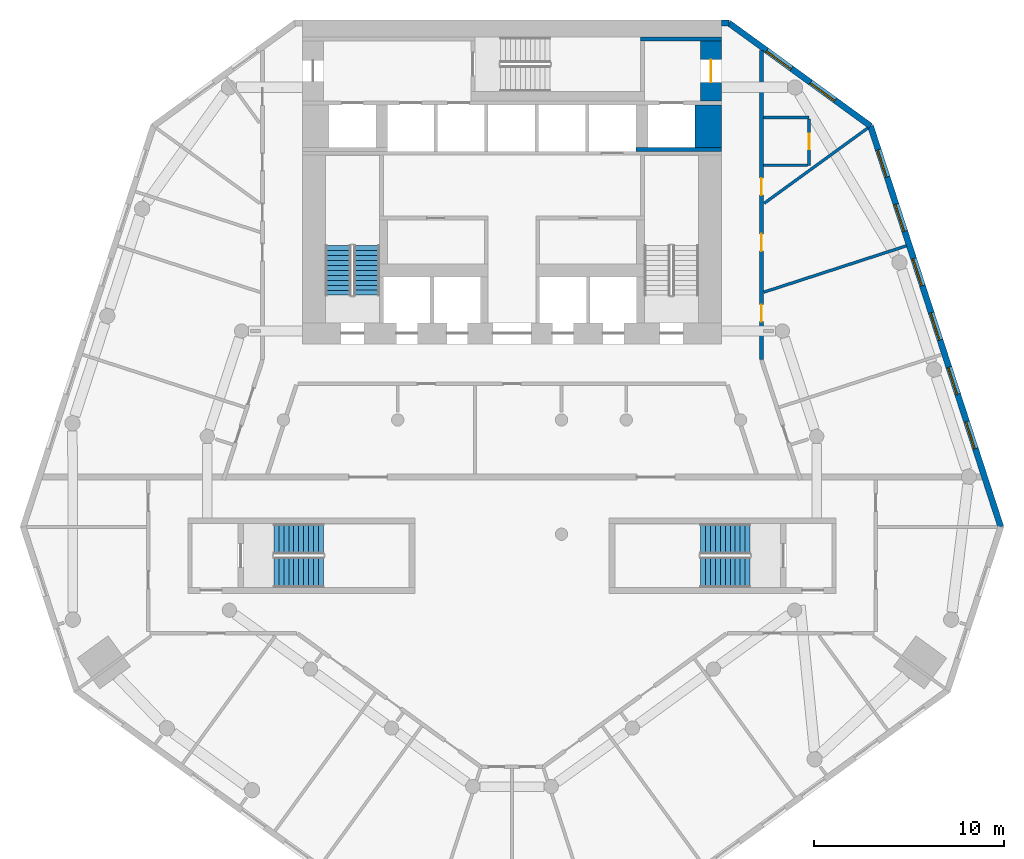
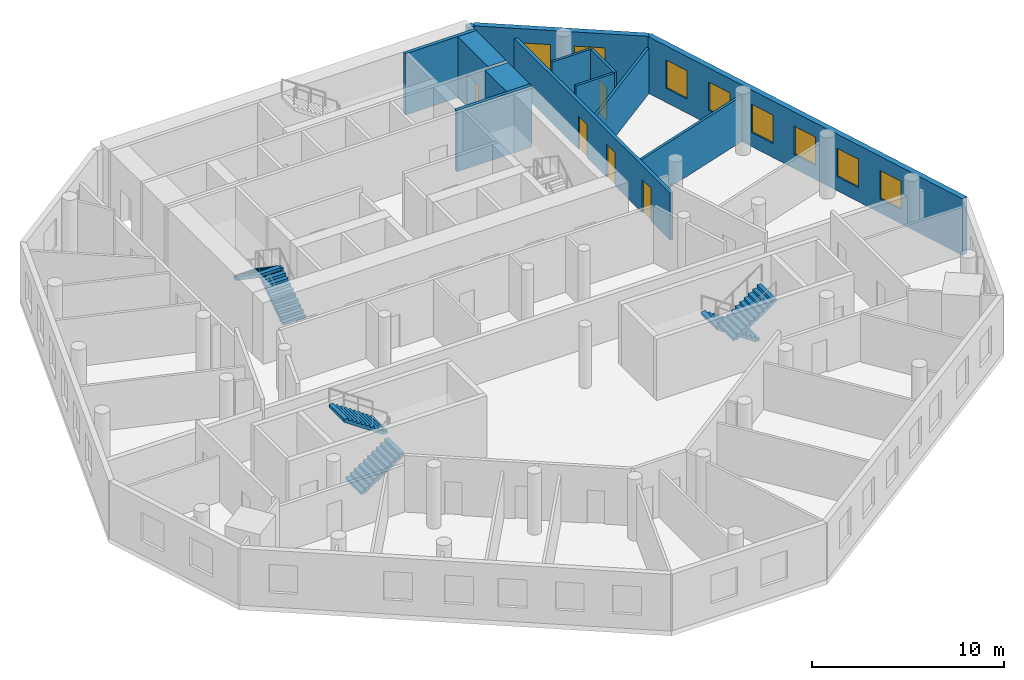
# One storey, part 6 of 9: 13 walls, 8 windows, 6 stair flights, 5 doors, 13 openings, 3 elements without a shape of their own.
"""IFC4 building model written with IfcOpenShell, lengths in metres."""

from ifc_helpers import new_model, si_unit, direction, frame, frame_2d, origin, place, context, subcontext, project, spatial, polyline, rectangle, outline, extrude, material, layer, layer_set, type_object, element, fill, aggregate, save


model = new_model("IFC4")

# Units and contexts
model_context = context("Model", 3, precision=1e-05, world=origin(), true_north=direction((0.0, 1.0)))
body_context = subcontext(model_context, "Body", "Model", "MODEL_VIEW")
ifc_project = project(units=[si_unit("LENGTHUNIT", "METRE"), si_unit("AREAUNIT", "SQUARE_METRE"), si_unit("VOLUMEUNIT", "CUBIC_METRE"), si_unit("PLANEANGLEUNIT", "RADIAN"), si_unit("MASSUNIT", "GRAM", prefix="KILO")], contexts=[model_context])

# Site, building, storey
site_placement = place(None, origin())
site = spatial("IfcSite", under=ifc_project, at=site_placement, CompositionType="ELEMENT")
building_placement = place(site_placement, origin())
building = spatial("IfcBuilding", under=site, at=building_placement, Name="White Candle Pilgrim Tower", CompositionType="ELEMENT")
storey_placement = place(building_placement, frame((0.0, 0.0, 110.300048828125)))
storey = spatial("IfcBuildingStorey", under=building, at=storey_placement, Name="L24", CompositionType="ELEMENT", Elevation=110.300048828125)

# Wall, opening, door
ifc_material_1 = material(Name="Concrete C60/75", Category="concrete")
ifc_layer_1 = layer(ifc_material_1, 1.10009765625)
ifc_layer_set_1 = layer_set([ifc_layer_1], Name="Core wall 1100 mm Concrete C60/75")
wall_type_1 = type_object("IfcWallType", Name="Core wall 1100 mm Concrete C60/75", PredefinedType="SHEAR", material=ifc_layer_set_1)
wall_1_placement = place(storey_placement, frame((80.449951171875, 83.75, 0.0), z_axis=(0.0, 0.0, 1.0), x_axis=(0.0, 1.0, 0.0)))
wall_1 = element("IfcWall", 1, at=wall_1_placement, inside=storey, type_object=wall_type_1, Name="WL-L24-C44", PredefinedType="SHEAR", context=body_context, shape_type="SweptSolid", body=[
    extrude(rectangle(XDim=3.14990234375, YDim=1.10009765625, at=frame_2d((1.574951171875, 0.0))), origin(), (0.0, 0.0, 1.0), 3.89990234375),
])
opening_1_placement = place(wall_1_placement, frame((0.97509765625, 0.0, 0.0)))
opening_1 = element("IfcOpeningElement", 2, at=opening_1_placement, cuts=wall_1, Name="Opening T07-006", PredefinedType="OPENING", context=body_context, shape_type="SweptSolid", body=[
    extrude(rectangle(XDim=1.199951171875, YDim=2.10009765625, at=frame_2d((0.60009765625, 1.050048828125))), frame((0.0, 0.56005859375, 0.0), z_axis=(0.0, -1.0, 0.0), x_axis=(1.0, 0.0, 0.0)), (0.0, 0.0, 1.0), 1.1201171875),
])
ifc_material_2 = material(Name="Steel door leaf", Category="steel")
door_type_1 = type_object("IfcDoorType", Name="Fire door 1200 x 2100 EI 30", OperationType="NOTDEFINED", PredefinedType="DOOR", material=ifc_material_2)
door_1_placement = place(opening_1_placement, origin())
door_1 = element("IfcDoor", 3, at=door_1_placement, inside=storey, type_object=door_type_1, Name="Door T07-006", OperationType="SINGLE_SWING_RIGHT", OverallHeight=2.10009765625, OverallWidth=1.199951171875, PredefinedType="DOOR", context=body_context, shape_type="SweptSolid", body=[
    extrude(rectangle(XDim=1.199951171875, YDim=2.10009765625, at=frame_2d((0.60009765625, 1.050048828125))), frame((0.0, 0.02490234375, 0.0), z_axis=(0.0, -1.0, 0.0), x_axis=(1.0, 0.0, 0.0)), (0.0, 0.0, 1.0), 0.050048828125),
])
fill(opening_1, door_1)

# Walls
ifc_layer_2 = layer(ifc_material_1, 1.39990234375)
ifc_layer_set_2 = layer_set([ifc_layer_2], Name="Core wall 1400 mm Concrete C60/75")
wall_type_2 = type_object("IfcWallType", Name="Core wall 1400 mm Concrete C60/75", PredefinedType="SHEAR", material=ifc_layer_set_2)
wall_2_placement = place(storey_placement, frame((80.300048828125, 81.300048828125, 0.0), z_axis=(0.0, 0.0, 1.0), x_axis=(0.0, 1.0, 0.0)))
element("IfcWall", 4, at=wall_2_placement, inside=storey, type_object=wall_type_2, Name="WL-L24-C40", PredefinedType="SHEAR", context=body_context, shape_type="SweptSolid", body=[
    extrude(rectangle(XDim=2.25, YDim=1.39990234375, at=frame_2d((1.125, 0.0))), origin(), (0.0, 0.0, 1.0), 3.89990234375),
])
ifc_layer_3 = layer(ifc_material_1, 0.199951171875)
ifc_layer_set_3 = layer_set([ifc_layer_3], Name="Core wall 200 mm Concrete C60/75")
wall_type_3 = type_object("IfcWallType", Name="Core wall 200 mm Concrete C60/75", PredefinedType="SHEAR", material=ifc_layer_set_3)
wall_3_placement = place(storey_placement, frame((76.5, 81.199951171875, 0.0), z_axis=(0.0, 0.0, 1.0), x_axis=(1.0, 0.0, 0.0)))
element("IfcWall", 5, at=wall_3_placement, inside=storey, type_object=wall_type_3, Name="WL-L24-C36", PredefinedType="SHEAR", context=body_context, shape_type="SweptSolid", body=[
    extrude(rectangle(XDim=4.5, YDim=0.199951171875, at=frame_2d((2.25, 0.0))), origin(), (0.0, 0.0, 1.0), 3.89990234375),
])

# Wall, openings, doors
ifc_material_3 = material(Name="Gypsum board on steel studs", Category="steel")
ifc_layer_4 = layer(ifc_material_3, 0.199951171875)
ifc_layer_set_4 = layer_set([ifc_layer_4], Name="Corridor wall 200 mm EI 45")
wall_type_4 = type_object("IfcWallType", Name="Corridor wall 200 mm EI 45", PredefinedType="PARTITIONING", material=ifc_layer_set_4)
wall_4_placement = place(storey_placement, frame((83.10009765625, 86.396240234375, 0.0), z_axis=(0.0, 0.0, 1.0), x_axis=(0.0, -1.0, 0.0)))
wall_4 = element("IfcWall", 6, at=wall_4_placement, inside=storey, type_object=wall_type_4, Name="WL-L24-P004", PredefinedType="PARTITIONING", context=body_context, shape_type="SweptSolid", body=[
    extrude(rectangle(XDim=16.221923828125, YDim=0.199951171875, at=frame_2d((8.11083984375, 0.0))), origin(), (0.0, 0.0, 1.0), 3.0),
])
opening_2_placement = place(wall_4_placement, frame((6.697998046875, 0.0, 0.0)))
opening_2 = element("IfcOpeningElement", 7, at=opening_2_placement, cuts=wall_4, Name="Opening T07-123", PredefinedType="OPENING", context=body_context, shape_type="SweptSolid", body=[
    extrude(rectangle(XDim=0.89990234375, YDim=2.10009765625, at=frame_2d((0.449951171875, 1.050048828125))), frame((0.0, 0.10986328125, 0.0), z_axis=(0.0, -1.0, 0.0), x_axis=(1.0, 0.0, 0.0)), (0.0, 0.0, 1.0), 0.219970703125),
])
opening_3_placement = place(wall_4_placement, frame((9.626953125, 0.0, 0.0)))
opening_3 = element("IfcOpeningElement", 8, at=opening_3_placement, cuts=wall_4, Name="Opening T07-124", PredefinedType="OPENING", context=body_context, shape_type="SweptSolid", body=[
    extrude(rectangle(XDim=0.89990234375, YDim=2.10009765625, at=frame_2d((0.449951171875, 1.050048828125))), frame((0.0, 0.10986328125, 0.0), z_axis=(0.0, -1.0, 0.0), x_axis=(1.0, 0.0, 0.0)), (0.0, 0.0, 1.0), 0.219970703125),
])
opening_4_placement = place(wall_4_placement, frame((13.338623046875, 0.0, 0.0)))
opening_4 = element("IfcOpeningElement", 9, at=opening_4_placement, cuts=wall_4, Name="Opening T07-125", PredefinedType="OPENING", context=body_context, shape_type="SweptSolid", body=[
    extrude(rectangle(XDim=0.89990234375, YDim=2.10009765625, at=frame_2d((0.449951171875, 1.050048828125))), frame((0.0, 0.10986328125, 0.0), z_axis=(0.0, -1.0, 0.0), x_axis=(1.0, 0.0, 0.0)), (0.0, 0.0, 1.0), 0.219970703125),
])
door_type_2 = type_object("IfcDoorType", Name="Fire door 900 x 2100 EI 30", OperationType="NOTDEFINED", PredefinedType="DOOR", material=ifc_material_2)
door_2_placement = place(opening_2_placement, origin())
door_2 = element("IfcDoor", 10, at=door_2_placement, inside=storey, type_object=door_type_2, Name="Door T07-123", OperationType="SINGLE_SWING_LEFT", OverallHeight=2.10009765625, OverallWidth=0.89990234375, PredefinedType="DOOR", context=body_context, shape_type="SweptSolid", body=[
    extrude(rectangle(XDim=0.89990234375, YDim=2.10009765625, at=frame_2d((0.449951171875, 1.050048828125))), frame((0.0, 0.02490234375, 0.0), z_axis=(0.0, -1.0, 0.0), x_axis=(1.0, 0.0, 0.0)), (0.0, 0.0, 1.0), 0.050048828125),
])
fill(opening_2, door_2)
door_3_placement = place(opening_3_placement, origin())
door_3 = element("IfcDoor", 11, at=door_3_placement, inside=storey, type_object=door_type_2, Name="Door T07-124", OperationType="SINGLE_SWING_RIGHT", OverallHeight=2.10009765625, OverallWidth=0.89990234375, PredefinedType="DOOR", context=body_context, shape_type="SweptSolid", body=[
    extrude(rectangle(XDim=0.89990234375, YDim=2.10009765625, at=frame_2d((0.449951171875, 1.050048828125))), frame((0.0, 0.02490234375, 0.0), z_axis=(0.0, -1.0, 0.0), x_axis=(1.0, 0.0, 0.0)), (0.0, 0.0, 1.0), 0.050048828125),
])
fill(opening_3, door_3)
door_4_placement = place(opening_4_placement, origin())
door_4 = element("IfcDoor", 12, at=door_4_placement, inside=storey, type_object=door_type_2, Name="Door T07-125", OperationType="SINGLE_SWING_LEFT", OverallHeight=2.10009765625, OverallWidth=0.89990234375, PredefinedType="DOOR", context=body_context, shape_type="SweptSolid", body=[
    extrude(rectangle(XDim=0.89990234375, YDim=2.10009765625, at=frame_2d((0.449951171875, 1.050048828125))), frame((0.0, 0.02490234375, 0.0), z_axis=(0.0, -1.0, 0.0), x_axis=(1.0, 0.0, 0.0)), (0.0, 0.0, 1.0), 0.050048828125),
])
fill(opening_4, door_4)

# Wall, openings, windows
ifc_material_4 = material(Name="Precast concrete C40/50", Category="concrete")
ifc_layer_5 = layer(ifc_material_4, 0.320068359375)
ifc_layer_set_5 = layer_set([ifc_layer_5], Name="Facade wall EW1 precast concrete C40/50 pier wall with timber-lined reveals")
wall_type_5 = type_object("IfcWallType", Name="Facade wall EW1 precast concrete C40/50 pier wall with timber-lined reveals", PredefinedType="SOLIDWALL", material=ifc_layer_set_5)
wall_5_placement = place(storey_placement, frame((95.66552734375, 61.38671875, 0.0), z_axis=(0.0, 0.0, 1.0), x_axis=(-0.30901996398, 0.951055551407, 0.0)))
wall_5 = element("IfcWall", 13, at=wall_5_placement, inside=storey, type_object=wall_type_5, Name="Facade wall L24 ENE", PredefinedType="SOLIDWALL", context=body_context, shape_type="SweptSolid", body=[
    extrude(rectangle(XDim=22.129150390625, YDim=0.320068359375, at=frame_2d((11.064453125, 0.0))), origin(), (0.0, 0.0, 1.0), 3.599853515625),
])
opening_5_placement = place(wall_5_placement, frame((4.314697265625, 0.0, 0.89990234375)))
opening_5 = element("IfcOpeningElement", 14, at=opening_5_placement, cuts=wall_5, Name="Opening W1", PredefinedType="OPENING", context=body_context, shape_type="SweptSolid", body=[
    extrude(rectangle(XDim=1.5, YDim=1.800048828125, at=frame_2d((0.75, 0.89990234375))), frame((0.0, 0.169921875, 0.0), z_axis=(0.0, -1.0, 0.0), x_axis=(1.0, 0.0, 0.0)), (0.0, 0.0, 1.0), 0.340087890625),
])
opening_6_placement = place(wall_5_placement, frame((7.314697265625, 0.0, 0.89990234375)))
opening_6 = element("IfcOpeningElement", 15, at=opening_6_placement, cuts=wall_5, Name="Opening W1", PredefinedType="OPENING", context=body_context, shape_type="SweptSolid", body=[
    extrude(rectangle(XDim=1.5, YDim=1.800048828125, at=frame_2d((0.75, 0.89990234375))), frame((0.0, 0.169921875, 0.0), z_axis=(0.0, -1.0, 0.0), x_axis=(1.0, 0.0, 0.0)), (0.0, 0.0, 1.0), 0.340087890625),
])
opening_7_placement = place(wall_5_placement, frame((10.314697265625, 0.0, 0.89990234375)))
opening_7 = element("IfcOpeningElement", 16, at=opening_7_placement, cuts=wall_5, Name="Opening W1", PredefinedType="OPENING", context=body_context, shape_type="SweptSolid", body=[
    extrude(rectangle(XDim=1.5, YDim=1.800048828125, at=frame_2d((0.75, 0.89990234375))), frame((0.0, 0.169921875, 0.0), z_axis=(0.0, -1.0, 0.0), x_axis=(1.0, 0.0, 0.0)), (0.0, 0.0, 1.0), 0.340087890625),
])
opening_8_placement = place(wall_5_placement, frame((13.314697265625, 0.0, 0.89990234375)))
opening_8 = element("IfcOpeningElement", 17, at=opening_8_placement, cuts=wall_5, Name="Opening W1", PredefinedType="OPENING", context=body_context, shape_type="SweptSolid", body=[
    extrude(rectangle(XDim=1.5, YDim=1.800048828125, at=frame_2d((0.75, 0.89990234375))), frame((0.0, 0.169921875, 0.0), z_axis=(0.0, -1.0, 0.0), x_axis=(1.0, 0.0, 0.0)), (0.0, 0.0, 1.0), 0.340087890625),
])
opening_9_placement = place(wall_5_placement, frame((16.314697265625, 0.0, 0.89990234375)))
opening_9 = element("IfcOpeningElement", 18, at=opening_9_placement, cuts=wall_5, Name="Opening W1", PredefinedType="OPENING", context=body_context, shape_type="SweptSolid", body=[
    extrude(rectangle(XDim=1.5, YDim=1.800048828125, at=frame_2d((0.75, 0.89990234375))), frame((0.0, 0.169921875, 0.0), z_axis=(0.0, -1.0, 0.0), x_axis=(1.0, 0.0, 0.0)), (0.0, 0.0, 1.0), 0.340087890625),
])
opening_10_placement = place(wall_5_placement, frame((19.314697265625, 0.0, 0.89990234375)))
opening_10 = element("IfcOpeningElement", 19, at=opening_10_placement, cuts=wall_5, Name="Opening W1", PredefinedType="OPENING", context=body_context, shape_type="SweptSolid", body=[
    extrude(rectangle(XDim=1.5, YDim=1.800048828125, at=frame_2d((0.75, 0.89990234375))), frame((0.0, 0.169921875, 0.0), z_axis=(0.0, -1.0, 0.0), x_axis=(1.0, 0.0, 0.0)), (0.0, 0.0, 1.0), 0.340087890625),
])
ifc_material_5 = material(Name="Timber frame with triple glazing", Category="wood")
window_type_1 = type_object("IfcWindowType", Name="Window W1 1500x1800 timber frame triple glazing", PartitioningType="SINGLE_PANEL", PredefinedType="WINDOW", material=ifc_material_5)
window_1_placement = place(opening_5_placement, origin())
window_1 = element("IfcWindow", 20, at=window_1_placement, inside=storey, type_object=window_type_1, Name="Window W1 L24 ENE 2", OverallHeight=1.800048828125, OverallWidth=1.5, PartitioningType="SINGLE_PANEL", PredefinedType="WINDOW", context=body_context, shape_type="SweptSolid", body=[
    extrude(rectangle(XDim=1.5, YDim=1.800048828125, at=frame_2d((0.75, 0.89990234375))), frame((0.0, 0.070068359375, 0.0), z_axis=(0.0, -1.0, 0.0), x_axis=(1.0, 0.0, 0.0)), (0.0, 0.0, 1.0), 0.06005859375),
])
fill(opening_5, window_1)
window_2_placement = place(opening_6_placement, origin())
window_2 = element("IfcWindow", 21, at=window_2_placement, inside=storey, type_object=window_type_1, Name="Window W1 L24 ENE 3", OverallHeight=1.800048828125, OverallWidth=1.5, PartitioningType="SINGLE_PANEL", PredefinedType="WINDOW", context=body_context, shape_type="SweptSolid", body=[
    extrude(rectangle(XDim=1.5, YDim=1.800048828125, at=frame_2d((0.75, 0.89990234375))), frame((0.0, 0.070068359375, 0.0), z_axis=(0.0, -1.0, 0.0), x_axis=(1.0, 0.0, 0.0)), (0.0, 0.0, 1.0), 0.06005859375),
])
fill(opening_6, window_2)
window_3_placement = place(opening_7_placement, origin())
window_3 = element("IfcWindow", 22, at=window_3_placement, inside=storey, type_object=window_type_1, Name="Window W1 L24 ENE 4", OverallHeight=1.800048828125, OverallWidth=1.5, PartitioningType="SINGLE_PANEL", PredefinedType="WINDOW", context=body_context, shape_type="SweptSolid", body=[
    extrude(rectangle(XDim=1.5, YDim=1.800048828125, at=frame_2d((0.75, 0.89990234375))), frame((0.0, 0.070068359375, 0.0), z_axis=(0.0, -1.0, 0.0), x_axis=(1.0, 0.0, 0.0)), (0.0, 0.0, 1.0), 0.06005859375),
])
fill(opening_7, window_3)
window_4_placement = place(opening_8_placement, origin())
window_4 = element("IfcWindow", 23, at=window_4_placement, inside=storey, type_object=window_type_1, Name="Window W1 L24 ENE 5", OverallHeight=1.800048828125, OverallWidth=1.5, PartitioningType="SINGLE_PANEL", PredefinedType="WINDOW", context=body_context, shape_type="SweptSolid", body=[
    extrude(rectangle(XDim=1.5, YDim=1.800048828125, at=frame_2d((0.75, 0.89990234375))), frame((0.0, 0.070068359375, 0.0), z_axis=(0.0, -1.0, 0.0), x_axis=(1.0, 0.0, 0.0)), (0.0, 0.0, 1.0), 0.06005859375),
])
fill(opening_8, window_4)
window_5_placement = place(opening_9_placement, origin())
window_5 = element("IfcWindow", 24, at=window_5_placement, inside=storey, type_object=window_type_1, Name="Window W1 L24 ENE 6", OverallHeight=1.800048828125, OverallWidth=1.5, PartitioningType="SINGLE_PANEL", PredefinedType="WINDOW", context=body_context, shape_type="SweptSolid", body=[
    extrude(rectangle(XDim=1.5, YDim=1.800048828125, at=frame_2d((0.75, 0.89990234375))), frame((0.0, 0.070068359375, 0.0), z_axis=(0.0, -1.0, 0.0), x_axis=(1.0, 0.0, 0.0)), (0.0, 0.0, 1.0), 0.06005859375),
])
fill(opening_9, window_5)
window_6_placement = place(opening_10_placement, origin())
window_6 = element("IfcWindow", 25, at=window_6_placement, inside=storey, type_object=window_type_1, Name="Window W1 L24 ENE 7", OverallHeight=1.800048828125, OverallWidth=1.5, PartitioningType="SINGLE_PANEL", PredefinedType="WINDOW", context=body_context, shape_type="SweptSolid", body=[
    extrude(rectangle(XDim=1.5, YDim=1.800048828125, at=frame_2d((0.75, 0.89990234375))), frame((0.0, 0.070068359375, 0.0), z_axis=(0.0, -1.0, 0.0), x_axis=(1.0, 0.0, 0.0)), (0.0, 0.0, 1.0), 0.06005859375),
])
fill(opening_10, window_6)

wall_6_placement = place(storey_placement, frame((88.8271484375, 82.432861328125, 0.0), z_axis=(0.0, 0.0, 1.0), x_axis=(-0.809006846007, 0.587799220069, 0.0)))
wall_6 = element("IfcWall", 26, at=wall_6_placement, inside=storey, type_object=wall_type_5, Name="Facade wall L24 NE chamfer", PredefinedType="SOLIDWALL", context=body_context, shape_type="SweptSolid", body=[
    extrude(rectangle(XDim=9.19921875, YDim=0.320068359375, at=frame_2d((4.599609375, 0.0))), origin(), (0.0, 0.0, 1.0), 3.599853515625),
])
opening_11_placement = place(wall_6_placement, frame((2.299560546875, 0.0, 0.89990234375)))
opening_11 = element("IfcOpeningElement", 27, at=opening_11_placement, cuts=wall_6, Name="Opening W2", PredefinedType="OPENING", context=body_context, shape_type="SweptSolid", body=[
    extrude(rectangle(XDim=1.60009765625, YDim=1.800048828125, at=frame_2d((0.800048828125, 0.89990234375))), frame((0.0, 0.169921875, 0.0), z_axis=(0.0, -1.0, 0.0), x_axis=(1.0, 0.0, 0.0)), (0.0, 0.0, 1.0), 0.340087890625),
])
opening_12_placement = place(wall_6_placement, frame((5.139404296875, 0.0, 0.89990234375)))
opening_12 = element("IfcOpeningElement", 28, at=opening_12_placement, cuts=wall_6, Name="Opening W2", PredefinedType="OPENING", context=body_context, shape_type="SweptSolid", body=[
    extrude(rectangle(XDim=1.60009765625, YDim=1.800048828125, at=frame_2d((0.800048828125, 0.89990234375))), frame((0.0, 0.169921875, 0.0), z_axis=(0.0, -1.0, 0.0), x_axis=(1.0, 0.0, 0.0)), (0.0, 0.0, 1.0), 0.340087890625),
])
window_type_2 = type_object("IfcWindowType", Name="Window W2 1600x1800 timber frame triple glazing", PartitioningType="SINGLE_PANEL", PredefinedType="WINDOW", material=ifc_material_5)
window_7_placement = place(opening_11_placement, origin())
window_7 = element("IfcWindow", 29, at=window_7_placement, inside=storey, type_object=window_type_2, Name="Window W2 L24 NE chamfer 1", OverallHeight=1.800048828125, OverallWidth=1.60009765625, PartitioningType="SINGLE_PANEL", PredefinedType="WINDOW", context=body_context, shape_type="SweptSolid", body=[
    extrude(rectangle(XDim=1.60009765625, YDim=1.800048828125, at=frame_2d((0.800048828125, 0.89990234375))), frame((0.0, 0.070068359375, 0.0), z_axis=(0.0, -1.0, 0.0), x_axis=(1.0, 0.0, 0.0)), (0.0, 0.0, 1.0), 0.06005859375),
])
fill(opening_11, window_7)
window_8_placement = place(opening_12_placement, origin())
window_8 = element("IfcWindow", 30, at=window_8_placement, inside=storey, type_object=window_type_2, Name="Window W2 L24 NE chamfer 2", OverallHeight=1.800048828125, OverallWidth=1.60009765625, PartitioningType="SINGLE_PANEL", PredefinedType="WINDOW", context=body_context, shape_type="SweptSolid", body=[
    extrude(rectangle(XDim=1.60009765625, YDim=1.800048828125, at=frame_2d((0.800048828125, 0.89990234375))), frame((0.0, 0.070068359375, 0.0), z_axis=(0.0, -1.0, 0.0), x_axis=(1.0, 0.0, 0.0)), (0.0, 0.0, 1.0), 0.06005859375),
])
fill(opening_12, window_8)

# Walls
wall_7_placement = place(storey_placement, frame((81.385009765625, 87.840087890625, 0.0), z_axis=(0.0, 0.0, 1.0), x_axis=(-1.0, 0.0, 0.0)))
element("IfcWall", 31, at=wall_7_placement, inside=storey, type_object=wall_type_5, Name="Facade wall L24 N", PredefinedType="SOLIDWALL", context=body_context, shape_type="SweptSolid", body=[
    extrude(rectangle(XDim=0.385009765625, YDim=0.320068359375, at=frame_2d((0.1923828125, 0.0))), origin(), (0.0, 0.0, 1.0), 3.599853515625),
])
ifc_layer_6 = layer(ifc_material_3, 0.14990234375)
ifc_layer_set_6 = layer_set([ifc_layer_6], Name="Partition 150 mm EI 60")
wall_type_6 = type_object("IfcWallType", Name="Partition 150 mm EI 60", PredefinedType="PARTITIONING", material=ifc_layer_set_6)
wall_8_placement = place(storey_placement, frame((88.691162109375, 82.333984375, 0.0), z_axis=(0.0, 0.0, 1.0), x_axis=(-0.809015103539, -0.587787854796, 0.0)))
element("IfcWall", 32, at=wall_8_placement, inside=storey, type_object=wall_type_6, Name="WL-L24-P023", PredefinedType="PARTITIONING", context=body_context, shape_type="SweptSolid", body=[
    extrude(rectangle(XDim=6.73291015625, YDim=0.14990234375, at=frame_2d((3.366455078125, 0.0))), origin(), (0.0, 0.0, 1.0), 2.89990234375),
])
wall_9_placement = place(storey_placement, frame((90.70361328125, 76.14013671875, 0.0), z_axis=(0.0, 0.0, 1.0), x_axis=(-0.951061437635, -0.309001847639, 0.0)))
element("IfcWall", 33, at=wall_9_placement, inside=storey, type_object=wall_type_6, Name="WL-L24-P036", PredefinedType="PARTITIONING", context=body_context, shape_type="SweptSolid", body=[
    extrude(rectangle(XDim=7.865478515625, YDim=0.14990234375, at=frame_2d((3.9326171875, 0.0))), origin(), (0.0, 0.0, 1.0), 2.89990234375),
])
wall_10_placement = place(storey_placement, frame((83.199951171875, 82.871826171875, 0.0), z_axis=(0.0, 0.0, 1.0), x_axis=(1.0, 0.0, 0.0)))
element("IfcWall", 34, at=wall_10_placement, inside=storey, type_object=wall_type_6, Name="WL-L24-P037", PredefinedType="PARTITIONING", context=body_context, shape_type="SweptSolid", body=[
    extrude(rectangle(XDim=2.400146484375, YDim=0.14990234375, at=frame_2d((1.2001953125, 0.0))), origin(), (0.0, 0.0, 1.0), 3.599853515625),
])

# Wall, opening, door
wall_11_placement = place(storey_placement, frame((85.60009765625, 80.371826171875, 0.0), z_axis=(0.0, 0.0, 1.0), x_axis=(0.0, 1.0, 0.0)))
wall_11 = element("IfcWall", 35, at=wall_11_placement, inside=storey, type_object=wall_type_6, Name="WL-L24-P038", PredefinedType="PARTITIONING", context=body_context, shape_type="SweptSolid", body=[
    extrude(rectangle(XDim=2.425048828125, YDim=0.14990234375, at=frame_2d((1.21240234375, 0.0))), origin(), (0.0, 0.0, 1.0), 3.599853515625),
])
opening_13_placement = place(wall_11_placement, frame((0.85009765625, 0.0, 0.0)))
opening_13 = element("IfcOpeningElement", 36, at=opening_13_placement, cuts=wall_11, Name="Opening T07-113", PredefinedType="OPENING", context=body_context, shape_type="SweptSolid", body=[
    extrude(rectangle(XDim=0.800048828125, YDim=2.10009765625, at=frame_2d((0.39990234375, 1.050048828125))), frame((0.0, 0.0849609375, 0.0), z_axis=(0.0, -1.0, 0.0), x_axis=(1.0, 0.0, 0.0)), (0.0, 0.0, 1.0), 0.169921875),
])
door_type_3 = type_object("IfcDoorType", Name="Fire door 800 x 2100 EI 30", OperationType="NOTDEFINED", PredefinedType="DOOR", material=ifc_material_2)
door_5_placement = place(opening_13_placement, frame((0.800048828125, 0.0, 0.0), z_axis=(0.0, 0.0, 1.0), x_axis=(-1.0, 0.0, 0.0)))
door_5 = element("IfcDoor", 37, at=door_5_placement, inside=storey, type_object=door_type_3, Name="Door T07-113", OperationType="SINGLE_SWING_RIGHT", OverallHeight=2.10009765625, OverallWidth=0.800048828125, PredefinedType="DOOR", context=body_context, shape_type="SweptSolid", body=[
    extrude(rectangle(XDim=0.800048828125, YDim=2.10009765625, at=frame_2d((0.39990234375, 1.050048828125))), frame((0.0, 0.02490234375, 0.0), z_axis=(0.0, -1.0, 0.0), x_axis=(1.0, 0.0, 0.0)), (0.0, 0.0, 1.0), 0.050048828125),
])
fill(opening_13, door_5)

# Walls
wall_12_placement = place(storey_placement, frame((83.199951171875, 80.371826171875, 0.0), z_axis=(0.0, 0.0, 1.0), x_axis=(1.0, 0.0, 0.0)))
element("IfcWall", 38, at=wall_12_placement, inside=storey, type_object=wall_type_6, Name="WL-L24-P039", PredefinedType="PARTITIONING", context=body_context, shape_type="SweptSolid", body=[
    extrude(rectangle(XDim=2.324951171875, YDim=0.14990234375, at=frame_2d((1.16259765625, 0.0))), origin(), (0.0, 0.0, 1.0), 3.599853515625),
])
ifc_layer_7 = layer(ifc_material_1, 0.199951171875)
ifc_layer_set_7 = layer_set([ifc_layer_7], Name="Stair shaft wall 200 mm Concrete C60/75")
wall_type_7 = type_object("IfcWallType", Name="Stair shaft wall 200 mm Concrete C60/75", PredefinedType="SHEAR", material=ifc_layer_set_7)
wall_13_placement = place(storey_placement, frame((76.75, 87.0, 0.0), z_axis=(0.0, 0.0, 1.0), x_axis=(1.0, 0.0, 0.0)))
element("IfcWall", 39, at=wall_13_placement, inside=storey, type_object=wall_type_7, Name="WL-L24-C48", PredefinedType="SHEAR", context=body_context, shape_type="SweptSolid", body=[
    extrude(rectangle(XDim=4.25, YDim=0.199951171875, at=frame_2d((2.125, 0.0))), origin(), (0.0, 0.0, 1.0), 3.89990234375),
])

# Stair, stair flights
ifc_material_6 = material(Name="Concrete C40/50", Category="concrete")
stair_type_1 = type_object("IfcStairType", Name="Exit stair 1 flight width 1350 mm", PredefinedType="HALF_TURN_STAIR", material=ifc_material_6)
stair_1_placement = place(storey_placement, origin())
stair_1 = element("IfcStair", 40, at=stair_1_placement, inside=storey, type_object=stair_type_1, Name="L24 stair 1", PredefinedType="NOTDEFINED")
ifc_layer_8 = layer(ifc_material_6, 0.14990234375)
ifc_layer_set_8 = layer_set([ifc_layer_8], Name="Stair flight Concrete C40/50")
stair_flight_type = type_object("IfcStairFlightType", Name="Stair flight Concrete C40/50", PredefinedType="STRAIGHT", material=ifc_layer_set_8)
stair_flight_1_placement = place(storey_placement, frame((62.375, 73.550048828125, 0.0), z_axis=(0.0, 0.0, 1.0), x_axis=(0.0, 1.0, 0.0)))
stair_flight_1 = element("IfcStairFlight", 41, at=stair_flight_1_placement, type_object=stair_flight_type, Name="ST1 flight 1", NumberOfRisers=11, NumberOfTreads=10, PredefinedType="NOTDEFINED", RiserHeight=0.177272727, TreadLength=0.26, context=body_context, shape_type="SweptSolid", body=[
    extrude(outline(polyline([(0.0, 0.0), (0.0, 0.17724609375), (0.260009765625, 0.17724609375), (0.260009765625, 0.3544921875), (0.52001953125, 0.3544921875), (0.52001953125, 0.53173828125), (0.780029296875, 0.53173828125), (0.780029296875, 0.708984375), (1.0400390625, 0.708984375), (1.0400390625, 0.886474609375), (1.300048828125, 0.886474609375), (1.300048828125, 1.063720703125), (1.56005859375, 1.063720703125), (1.56005859375, 1.240966796875), (1.820068359375, 1.240966796875), (1.820068359375, 1.418212890625), (2.080078125, 1.418212890625), (2.080078125, 1.595458984375), (2.340087890625, 1.595458984375), (2.340087890625, 1.772705078125), (2.60009765625, 1.772705078125), (2.60009765625, 1.949951171875), (2.60009765625, 1.59130859375), (0.26611328125, 0.0), (0.0, 0.0)])), frame((0.0, 0.675048828125, 0.0), z_axis=(0.0, -1.0, 0.0), x_axis=(1.0, 0.0, 0.0)), (0.0, 0.0, 1.0), 1.35009765625),
])
stair_flight_2_placement = place(storey_placement, frame((60.875, 76.14990234375, 1.949951171875), z_axis=(0.0, 0.0, 1.0), x_axis=(0.0, -1.0, 0.0)))
stair_flight_2 = element("IfcStairFlight", 42, at=stair_flight_2_placement, type_object=stair_flight_type, Name="ST1 flight 2", NumberOfRisers=11, NumberOfTreads=10, PredefinedType="NOTDEFINED", RiserHeight=0.177272727, TreadLength=0.26, context=body_context, shape_type="SweptSolid", body=[
    extrude(outline(polyline([(0.0, 0.0), (0.0, 0.17724609375), (0.260009765625, 0.17724609375), (0.260009765625, 0.3544921875), (0.52001953125, 0.3544921875), (0.52001953125, 0.53173828125), (0.780029296875, 0.53173828125), (0.780029296875, 0.708984375), (1.0400390625, 0.708984375), (1.0400390625, 0.886474609375), (1.300048828125, 0.886474609375), (1.300048828125, 1.063720703125), (1.56005859375, 1.063720703125), (1.56005859375, 1.240966796875), (1.820068359375, 1.240966796875), (1.820068359375, 1.418212890625), (2.080078125, 1.418212890625), (2.080078125, 1.595458984375), (2.340087890625, 1.595458984375), (2.340087890625, 1.772705078125), (2.60009765625, 1.772705078125), (2.60009765625, 1.949951171875), (2.60009765625, 1.59130859375), (0.26611328125, 0.0), (0.0, 0.0)])), frame((0.0, 0.675048828125, 0.0), z_axis=(0.0, -1.0, 0.0), x_axis=(1.0, 0.0, 0.0)), (0.0, 0.0, 1.0), 1.35009765625),
])
aggregate(stair_1, [stair_flight_1, stair_flight_2])

stair_type_2 = type_object("IfcStairType", Name="Exit stair 4 flight width 1600 mm", PredefinedType="HALF_TURN_STAIR", material=ifc_material_6)
stair_2_placement = place(storey_placement, origin())
stair_2 = element("IfcStair", 43, at=stair_2_placement, inside=storey, type_object=stair_type_2, Name="L24 stair 4", PredefinedType="NOTDEFINED")
stair_flight_3_placement = place(storey_placement, frame((82.5, 60.75, 0.0), z_axis=(0.0, 0.0, 1.0), x_axis=(-1.0, 0.0, 0.0)))
stair_flight_3 = element("IfcStairFlight", 44, at=stair_flight_3_placement, type_object=stair_flight_type, Name="ST4 flight 1", NumberOfRisers=11, NumberOfTreads=10, PredefinedType="NOTDEFINED", RiserHeight=0.177272727, TreadLength=0.26, context=body_context, shape_type="SweptSolid", body=[
    extrude(outline(polyline([(0.0, 0.0), (0.0, 0.17724609375), (0.260009765625, 0.17724609375), (0.260009765625, 0.3544921875), (0.52001953125, 0.3544921875), (0.52001953125, 0.53173828125), (0.780029296875, 0.53173828125), (0.780029296875, 0.708984375), (1.0400390625, 0.708984375), (1.0400390625, 0.886474609375), (1.300048828125, 0.886474609375), (1.300048828125, 1.063720703125), (1.56005859375, 1.063720703125), (1.56005859375, 1.240966796875), (1.820068359375, 1.240966796875), (1.820068359375, 1.418212890625), (2.080078125, 1.418212890625), (2.080078125, 1.595458984375), (2.340087890625, 1.595458984375), (2.340087890625, 1.772705078125), (2.60009765625, 1.772705078125), (2.60009765625, 1.949951171875), (2.60009765625, 1.59130859375), (0.26611328125, 0.0), (0.0, 0.0)])), frame((0.0, 0.800048828125, 0.0), z_axis=(0.0, -1.0, 0.0), x_axis=(1.0, 0.0, 0.0)), (0.0, 0.0, 1.0), 1.60009765625),
])
stair_flight_4_placement = place(storey_placement, frame((79.89990234375, 59.0, 1.949951171875), z_axis=(0.0, 0.0, 1.0), x_axis=(1.0, 0.0, 0.0)))
stair_flight_4 = element("IfcStairFlight", 45, at=stair_flight_4_placement, type_object=stair_flight_type, Name="ST4 flight 2", NumberOfRisers=11, NumberOfTreads=10, PredefinedType="NOTDEFINED", RiserHeight=0.177272727, TreadLength=0.26, context=body_context, shape_type="SweptSolid", body=[
    extrude(outline(polyline([(0.0, 0.0), (0.0, 0.17724609375), (0.260009765625, 0.17724609375), (0.260009765625, 0.3544921875), (0.52001953125, 0.3544921875), (0.52001953125, 0.53173828125), (0.780029296875, 0.53173828125), (0.780029296875, 0.708984375), (1.0400390625, 0.708984375), (1.0400390625, 0.886474609375), (1.300048828125, 0.886474609375), (1.300048828125, 1.063720703125), (1.56005859375, 1.063720703125), (1.56005859375, 1.240966796875), (1.820068359375, 1.240966796875), (1.820068359375, 1.418212890625), (2.080078125, 1.418212890625), (2.080078125, 1.595458984375), (2.340087890625, 1.595458984375), (2.340087890625, 1.772705078125), (2.60009765625, 1.772705078125), (2.60009765625, 1.949951171875), (2.60009765625, 1.59130859375), (0.26611328125, 0.0), (0.0, 0.0)])), frame((0.0, 0.800048828125, 0.0), z_axis=(0.0, -1.0, 0.0), x_axis=(1.0, 0.0, 0.0)), (0.0, 0.0, 1.0), 1.60009765625),
])
aggregate(stair_2, [stair_flight_3, stair_flight_4])

stair_type_3 = type_object("IfcStairType", Name="Exit stair 5 flight width 1600 mm", PredefinedType="HALF_TURN_STAIR", material=ifc_material_6)
stair_3_placement = place(storey_placement, origin())
stair_3 = element("IfcStair", 46, at=stair_3_placement, inside=storey, type_object=stair_type_3, Name="L24 stair 5", PredefinedType="NOTDEFINED")
stair_flight_5_placement = place(storey_placement, frame((57.5, 59.0, 0.0), z_axis=(0.0, 0.0, 1.0), x_axis=(1.0, 0.0, 0.0)))
stair_flight_5 = element("IfcStairFlight", 47, at=stair_flight_5_placement, type_object=stair_flight_type, Name="ST5 flight 1", NumberOfRisers=11, NumberOfTreads=10, PredefinedType="NOTDEFINED", RiserHeight=0.177272727, TreadLength=0.26, context=body_context, shape_type="SweptSolid", body=[
    extrude(outline(polyline([(0.0, 0.0), (0.0, 0.17724609375), (0.260009765625, 0.17724609375), (0.260009765625, 0.3544921875), (0.52001953125, 0.3544921875), (0.52001953125, 0.53173828125), (0.780029296875, 0.53173828125), (0.780029296875, 0.708984375), (1.0400390625, 0.708984375), (1.0400390625, 0.886474609375), (1.300048828125, 0.886474609375), (1.300048828125, 1.063720703125), (1.56005859375, 1.063720703125), (1.56005859375, 1.240966796875), (1.820068359375, 1.240966796875), (1.820068359375, 1.418212890625), (2.080078125, 1.418212890625), (2.080078125, 1.595458984375), (2.340087890625, 1.595458984375), (2.340087890625, 1.772705078125), (2.60009765625, 1.772705078125), (2.60009765625, 1.949951171875), (2.60009765625, 1.59130859375), (0.26611328125, 0.0), (0.0, 0.0)])), frame((0.0, 0.800048828125, 0.0), z_axis=(0.0, -1.0, 0.0), x_axis=(1.0, 0.0, 0.0)), (0.0, 0.0, 1.0), 1.60009765625),
])
stair_flight_6_placement = place(storey_placement, frame((60.10009765625, 60.75, 1.949951171875), z_axis=(0.0, 0.0, 1.0), x_axis=(-1.0, 0.0, 0.0)))
stair_flight_6 = element("IfcStairFlight", 48, at=stair_flight_6_placement, type_object=stair_flight_type, Name="ST5 flight 2", NumberOfRisers=11, NumberOfTreads=10, PredefinedType="NOTDEFINED", RiserHeight=0.177272727, TreadLength=0.26, context=body_context, shape_type="SweptSolid", body=[
    extrude(outline(polyline([(0.0, 0.0), (0.0, 0.17724609375), (0.260009765625, 0.17724609375), (0.260009765625, 0.3544921875), (0.52001953125, 0.3544921875), (0.52001953125, 0.53173828125), (0.780029296875, 0.53173828125), (0.780029296875, 0.708984375), (1.0400390625, 0.708984375), (1.0400390625, 0.886474609375), (1.300048828125, 0.886474609375), (1.300048828125, 1.063720703125), (1.56005859375, 1.063720703125), (1.56005859375, 1.240966796875), (1.820068359375, 1.240966796875), (1.820068359375, 1.418212890625), (2.080078125, 1.418212890625), (2.080078125, 1.595458984375), (2.340087890625, 1.595458984375), (2.340087890625, 1.772705078125), (2.60009765625, 1.772705078125), (2.60009765625, 1.949951171875), (2.60009765625, 1.59130859375), (0.26611328125, 0.0), (0.0, 0.0)])), frame((0.0, 0.800048828125, 0.0), z_axis=(0.0, -1.0, 0.0), x_axis=(1.0, 0.0, 0.0)), (0.0, 0.0, 1.0), 1.60009765625),
])
aggregate(stair_3, [stair_flight_5, stair_flight_6])

save(model, "model.ifc")
